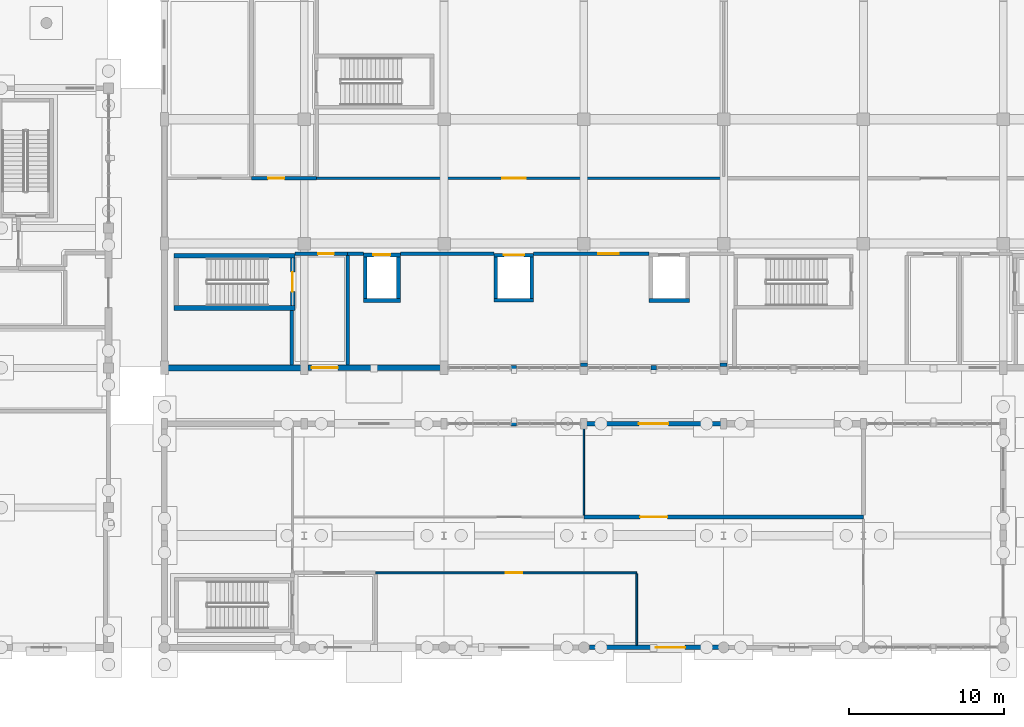
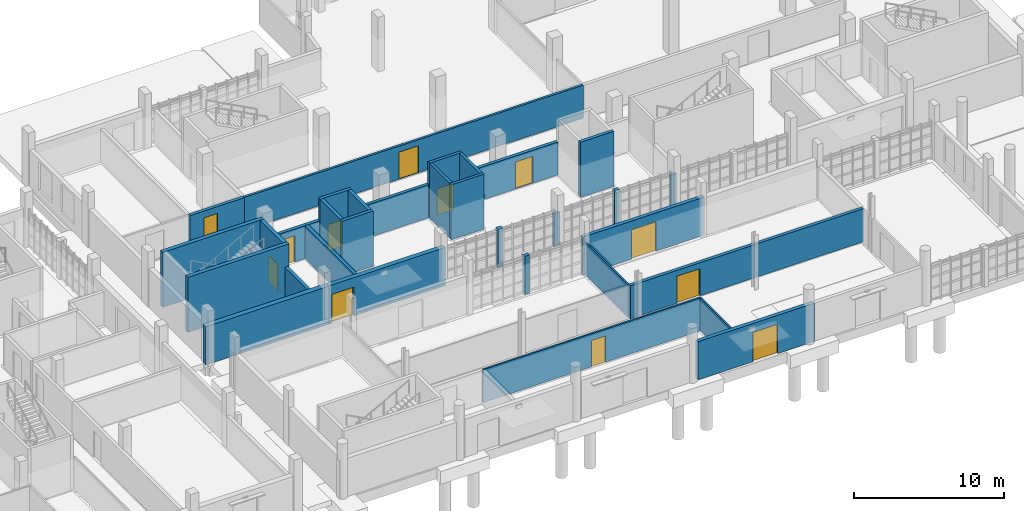
# One storey, part 43 of 63: 33 walls, 12 doors, 12 openings.
"""IFC4 building model written with IfcOpenShell, lengths in metres."""

from ifc_helpers import new_model, si_unit, direction, frame, frame_2d, origin, place, context, subcontext, project, spatial, rectangle, extrude, material, layer, layer_set, type_object, element, fill, save


model = new_model("IFC4")

# Units and contexts
model_context = context("Model", 3, precision=1e-05, world=origin(), true_north=direction((0.0, 1.0)))
body_context = subcontext(model_context, "Body", "Model", "MODEL_VIEW")
ifc_project = project(units=[si_unit("LENGTHUNIT", "METRE"), si_unit("AREAUNIT", "SQUARE_METRE"), si_unit("VOLUMEUNIT", "CUBIC_METRE"), si_unit("PLANEANGLEUNIT", "RADIAN"), si_unit("MASSUNIT", "GRAM", prefix="KILO")], contexts=[model_context])

# Site, building, storey
site_placement = place(None, origin())
site = spatial("IfcSite", under=ifc_project, at=site_placement, CompositionType="ELEMENT")
building_placement = place(site_placement, origin())
building = spatial("IfcBuilding", under=site, at=building_placement, Name="Serraforn Aerial Cableway Station", CompositionType="ELEMENT")
storey_placement = place(building_placement, origin())
storey = spatial("IfcBuildingStorey", under=building, at=storey_placement, Name="L00", CompositionType="ELEMENT", Elevation=0.0)

# Wall
ifc_material_1 = material(Name="Concrete C35/45", Category="concrete")
ifc_layer_1 = layer(ifc_material_1, 0.219970703125)
ifc_layer_set_1 = layer_set([ifc_layer_1], Name="Concrete C35/45")
wall_type_1 = type_object("IfcWallType", Name="WL-COR-220", PredefinedType="SHEAR", material=ifc_layer_set_1)
wall_1_placement = place(storey_placement, frame((48.830078125, 22.340087890625, 0.0), z_axis=(0.0, 0.0, 1.0), x_axis=(1.0, 0.0, 0.0)))
element("IfcWall", 1, at=wall_1_placement, inside=storey, type_object=wall_type_1, Name="Lift Shaft Shear Wall WLFT-LF-03-L00-S", PredefinedType="SHEAR", context=body_context, shape_type="SweptSolid", body=[
    extrude(rectangle(XDim=2.5400390625, YDim=0.219970703125, at=frame_2d((1.27001953125, 0.0))), origin(), (0.0, 0.0, 1.0), 4.5),
])

# Wall, opening, door
wall_2_placement = place(storey_placement, frame((48.830078125, 25.260009765625, 0.0), z_axis=(0.0, 0.0, 1.0), x_axis=(1.0, 0.0, 0.0)))
wall_2 = element("IfcWall", 2, at=wall_2_placement, inside=storey, type_object=wall_type_1, Name="Lift Shaft Shear Wall WLFT-LF-03-L00-N", PredefinedType="SHEAR", context=body_context, shape_type="SweptSolid", body=[
    extrude(rectangle(XDim=2.5400390625, YDim=0.219970703125, at=frame_2d((1.27001953125, 0.0))), origin(), (0.0, 0.0, 1.0), 4.5),
])
opening_1_placement = place(wall_2_placement, frame((0.6201171875, 0.0, 0.0)))
opening_1 = element("IfcOpeningElement", 3, at=opening_1_placement, cuts=wall_2, Name="Opening LD-11", PredefinedType="OPENING", context=body_context, shape_type="SweptSolid", body=[
    extrude(rectangle(XDim=1.300048828125, YDim=2.14990234375, at=frame_2d((0.64990234375, 1.074951171875))), frame((0.0, 0.119873046875, 0.0), z_axis=(0.0, -1.0, 0.0), x_axis=(1.0, 0.0, 0.0)), (0.0, 0.0, 1.0), 0.239990234375),
])
ifc_material_2 = material(Name="Brushed stainless-steel sliding lift landing door", Category="steel")
door_type_1 = type_object("IfcDoorType", Name="DR-LIFT-130", OperationType="SLIDING_TO_RIGHT", PredefinedType="DOOR", material=ifc_material_2)
door_1_placement = place(opening_1_placement, origin())
door_1 = element("IfcDoor", 4, at=door_1_placement, inside=storey, type_object=door_type_1, Name="Sliding Lift Landing Door LD-11 (LF-03 L00)", OperationType="SLIDING_TO_RIGHT", OverallHeight=2.14990234375, OverallWidth=1.300048828125, PredefinedType="DOOR", context=body_context, shape_type="SweptSolid", body=[
    extrude(rectangle(XDim=1.300048828125, YDim=2.14990234375, at=frame_2d((0.64990234375, 1.074951171875))), frame((0.0, 0.02490234375, 0.0), z_axis=(0.0, -1.0, 0.0), x_axis=(1.0, 0.0, 0.0)), (0.0, 0.0, 1.0), 0.050048828125),
])
fill(opening_1, door_1)

# Walls
for number, where, z_axis, x_axis, name in (
    (5, (48.93994140625, 22.449951171875, 0.0), (0.0, 0.0, 1.0), (0.0, 1.0, 0.0), "Lift Shaft Shear Wall WLFT-LF-03-L00-W"),
    (6, (51.260009765625, 22.449951171875, 0.0), (0.0, 0.0, 1.0), (0.0, 1.0, 0.0), "Lift Shaft Shear Wall WLFT-LF-03-L00-E"),
):
    element("IfcWall", number, at=place(storey_placement, frame(where, z_axis=z_axis, x_axis=x_axis)), inside=storey, type_object=wall_type_1, Name=name, PredefinedType="SHEAR", context=body_context, shape_type="SweptSolid", body=[
        extrude(rectangle(XDim=2.699951171875, YDim=0.219970703125, at=frame_2d((1.35009765625, 0.0))), origin(), (0.0, 0.0, 1.0), 4.5),
    ])
ifc_layer_2 = layer(ifc_material_1, 0.25)
ifc_layer_set_2 = layer_set([ifc_layer_2], Name="Concrete C35/45")
wall_type_2 = type_object("IfcWallType", Name="WL-COR-250", PredefinedType="SHEAR", material=ifc_layer_set_2)
wall_3_placement = place(storey_placement, frame((40.39990234375, 22.324951171875, 0.0), z_axis=(0.0, 0.0, 1.0), x_axis=(1.0, 0.0, 0.0)))
element("IfcWall", 7, at=wall_3_placement, inside=storey, type_object=wall_type_2, Name="Lift Shaft Shear Wall WLFT-LF-02-L00-S", PredefinedType="SHEAR", context=body_context, shape_type="SweptSolid", body=[
    extrude(rectangle(XDim=2.400146484375, YDim=0.25, at=frame_2d((1.2001953125, 0.0))), origin(), (0.0, 0.0, 1.0), 4.5),
])

# Wall, opening, door
wall_4_placement = place(storey_placement, frame((40.39990234375, 25.27490234375, 0.0), z_axis=(0.0, 0.0, 1.0), x_axis=(1.0, 0.0, 0.0)))
wall_4 = element("IfcWall", 8, at=wall_4_placement, inside=storey, type_object=wall_type_2, Name="Lift Shaft Shear Wall WLFT-LF-02-L00-N", PredefinedType="SHEAR", context=body_context, shape_type="SweptSolid", body=[
    extrude(rectangle(XDim=2.400146484375, YDim=0.25, at=frame_2d((1.2001953125, 0.0))), origin(), (0.0, 0.0, 1.0), 4.5),
])
opening_2_placement = place(wall_4_placement, frame((0.64990234375, 0.0, 0.0)))
opening_2 = element("IfcOpeningElement", 9, at=opening_2_placement, cuts=wall_4, Name="Opening LD-06", PredefinedType="OPENING", context=body_context, shape_type="SweptSolid", body=[
    extrude(rectangle(XDim=1.10009765625, YDim=2.14990234375, at=frame_2d((0.550048828125, 1.074951171875))), frame((0.0, 0.135009765625, 0.0), z_axis=(0.0, -1.0, 0.0), x_axis=(1.0, 0.0, 0.0)), (0.0, 0.0, 1.0), 0.27001953125),
])
door_type_2 = type_object("IfcDoorType", Name="DR-LIFT-110", OperationType="SLIDING_TO_LEFT", PredefinedType="DOOR", material=ifc_material_2)
door_2_placement = place(opening_2_placement, origin())
door_2 = element("IfcDoor", 10, at=door_2_placement, inside=storey, type_object=door_type_2, Name="Sliding Lift Landing Door LD-06 (LF-02 L00)", OperationType="SLIDING_TO_LEFT", OverallHeight=2.14990234375, OverallWidth=1.10009765625, PredefinedType="DOOR", context=body_context, shape_type="SweptSolid", body=[
    extrude(rectangle(XDim=1.10009765625, YDim=2.14990234375, at=frame_2d((0.550048828125, 1.074951171875))), frame((0.0, 0.02490234375, 0.0), z_axis=(0.0, -1.0, 0.0), x_axis=(1.0, 0.0, 0.0)), (0.0, 0.0, 1.0), 0.050048828125),
])
fill(opening_2, door_2)

# Walls
for number, where, z_axis, x_axis, name in (
    (11, (40.52490234375, 22.449951171875, 0.0), (0.0, 0.0, 1.0), (0.0, 1.0, 0.0), "Lift Shaft Shear Wall WLFT-LF-02-L00-W"),
    (12, (42.675048828125, 22.449951171875, 0.0), (0.0, 0.0, 1.0), (0.0, 1.0, 0.0), "Lift Shaft Shear Wall WLFT-LF-02-L00-E"),
):
    element("IfcWall", number, at=place(storey_placement, frame(where, z_axis=z_axis, x_axis=x_axis)), inside=storey, type_object=wall_type_2, Name=name, PredefinedType="SHEAR", context=body_context, shape_type="SweptSolid", body=[
        extrude(rectangle(XDim=2.699951171875, YDim=0.25, at=frame_2d((1.35009765625, 0.0))), origin(), (0.0, 0.0, 1.0), 4.5),
    ])
wall_5_placement = place(storey_placement, frame((58.800048828125, 22.324951171875, 0.0), z_axis=(0.0, 0.0, 1.0), x_axis=(1.0, 0.0, 0.0)))
element("IfcWall", 13, at=wall_5_placement, inside=storey, type_object=wall_type_2, Name="Lift Shaft Shear Wall WLFT-LF-04-L00-S", PredefinedType="SHEAR", context=body_context, shape_type="SweptSolid", body=[
    extrude(rectangle(XDim=2.599853515625, YDim=0.25, at=frame_2d((1.2998046875, 0.0))), origin(), (0.0, 0.0, 1.0), 4.5),
])

# Wall, opening, door
ifc_layer_3 = layer(ifc_material_1, 0.300048828125)
ifc_layer_set_3 = layer_set([ifc_layer_3], Name="Concrete C35/45")
wall_type_3 = type_object("IfcWallType", Name="WL-COR-300", PredefinedType="SHEAR", material=ifc_layer_set_3)
wall_6_placement = place(storey_placement, frame((35.85009765625, 25.06005859375, 0.0), z_axis=(0.0, 0.0, 1.0), x_axis=(0.0, -1.0, 0.0)))
wall_6 = element("IfcWall", 14, at=wall_6_placement, inside=storey, type_object=wall_type_3, Name="Stair Core Shear Wall WCOR-ST-03-L00-NEAR", PredefinedType="SHEAR", context=body_context, shape_type="SweptSolid", body=[
    extrude(rectangle(XDim=3.06005859375, YDim=0.300048828125, at=frame_2d((1.530029296875, 0.0))), origin(), (0.0, 0.0, 1.0), 4.5),
])
opening_3_placement = place(wall_6_placement, frame((0.905029296875, 0.0, 0.0)))
opening_3 = element("IfcOpeningElement", 15, at=opening_3_placement, cuts=wall_6, Name="Opening D-S13", PredefinedType="OPENING", context=body_context, shape_type="SweptSolid", body=[
    extrude(rectangle(XDim=1.25, YDim=2.14990234375, at=frame_2d((0.625, 1.074951171875))), frame((0.0, 0.159912109375, 0.0), z_axis=(0.0, -1.0, 0.0), x_axis=(1.0, 0.0, 0.0)), (0.0, 0.0, 1.0), 0.320068359375),
])
ifc_material_3 = material(Name="Self-closing steel stair fire door", Category="steel")
door_type_3 = type_object("IfcDoorType", Name="DR-STAIR-125", OperationType="NOTDEFINED", PredefinedType="DOOR", material=ifc_material_3)
door_3_placement = place(opening_3_placement, origin())
door_3 = element("IfcDoor", 16, at=door_3_placement, inside=storey, type_object=door_type_3, Name="Protected Stair Door D-S13", OperationType="SINGLE_SWING_LEFT", OverallHeight=2.14990234375, OverallWidth=1.25, PredefinedType="DOOR", context=body_context, shape_type="SweptSolid", body=[
    extrude(rectangle(XDim=1.25, YDim=2.14990234375, at=frame_2d((0.625, 1.074951171875))), frame((0.0, 0.02490234375, 0.0), z_axis=(0.0, -1.0, 0.0), x_axis=(1.0, 0.0, 0.0)), (0.0, 0.0, 1.0), 0.050048828125),
])
fill(opening_3, door_3)

# Walls
for number, where, z_axis, x_axis, name in (
    (17, (36.0, 25.2099609375, 0.0), (0.0, 0.0, 1.0), (-1.0, 0.0, 0.0), "Stair Core Shear Wall WCOR-ST-03-L00-L"),
    (18, (36.0, 21.85009765625, 0.0), (0.0, 0.0, 1.0), (-1.0, 0.0, 0.0), "Stair Core Shear Wall WCOR-ST-03-L00-R"),
):
    element("IfcWall", number, at=place(storey_placement, frame(where, z_axis=z_axis, x_axis=x_axis)), inside=storey, type_object=wall_type_3, Name=name, PredefinedType="SHEAR", context=body_context, shape_type="SweptSolid", body=[
        extrude(rectangle(XDim=7.800048828125, YDim=0.300048828125, at=frame_2d((3.89990234375, 0.0))), origin(), (0.0, 0.0, 1.0), 4.5),
    ])

# Wall, opening, door
ifc_material_4 = material(Name="Insulated stuccoed terracotta facade", Category="masonry")
ifc_layer_4 = layer(ifc_material_4, 0.27490234375)
ifc_layer_set_4 = layer_set([ifc_layer_4], Name="Insulated stuccoed terracotta facade")
wall_type_4 = type_object("IfcWallType", Name="WL-EXT-275", PredefinedType="SOLIDWALL", material=ifc_layer_set_4)
wall_7_placement = place(storey_placement, frame((63.800048828125, 14.39990234375, 0.0), z_axis=(0.0, 0.0, 1.0), x_axis=(-1.0, 0.0, 0.0)))
wall_7 = element("IfcWall", 19, at=wall_7_placement, inside=storey, type_object=wall_type_4, Name="Exterior Wall WEXT-CF-L00-N4", PredefinedType="SOLIDWALL", context=body_context, shape_type="SweptSolid", body=[
    extrude(rectangle(XDim=9.400146484375, YDim=0.27490234375, at=frame_2d((4.7001953125, 0.0))), origin(), (0.0, 0.0, 1.0), 3.1201171875),
])
opening_4_placement = place(wall_7_placement, frame((3.75, 0.0, 0.0)))
opening_4 = element("IfcOpeningElement", 20, at=opening_4_placement, cuts=wall_7, Name="Opening DE-01", PredefinedType="OPENING", context=body_context, shape_type="SweptSolid", body=[
    extrude(rectangle(XDim=1.89990234375, YDim=2.39990234375, at=frame_2d((0.949951171875, 1.199951171875))), frame((0.0, 0.1474609375, 0.0), z_axis=(0.0, -1.0, 0.0), x_axis=(1.0, 0.0, 0.0)), (0.0, 0.0, 1.0), 0.294921875),
])
ifc_material_5 = material(Name="Anodised bronze thermally broken aluminium and laminated glass", Category="aluminium")
door_type_4 = type_object("IfcDoorType", Name="DR-EXT-190", OperationType="DOUBLE_SWING_LEFT", PredefinedType="DOOR", material=ifc_material_5)
door_4_placement = place(opening_4_placement, origin())
door_4 = element("IfcDoor", 21, at=door_4_placement, inside=storey, type_object=door_type_4, Name="Exterior Door DE-CF-L00-N4", OperationType="DOUBLE_SWING_LEFT", OverallHeight=2.39990234375, OverallWidth=1.89990234375, PredefinedType="DOOR", context=body_context, shape_type="SweptSolid", body=[
    extrude(rectangle(XDim=1.89990234375, YDim=2.39990234375, at=frame_2d((0.949951171875, 1.199951171875))), frame((0.0, 0.02490234375, 0.0), z_axis=(0.0, -1.0, 0.0), x_axis=(1.0, 0.0, 0.0)), (0.0, 0.0, 1.0), 0.050048828125),
])
fill(opening_4, door_4)

ifc_material_6 = material(Name="Insulated fluted limestone rainscreen", Category="masonry")
ifc_layer_5 = layer(ifc_material_6, 0.2900390625)
ifc_layer_set_5 = layer_set([ifc_layer_5], Name="Insulated fluted limestone rainscreen")
wall_type_5 = type_object("IfcWallType", Name="WL-EXT-290", PredefinedType="SOLIDWALL", material=ifc_layer_set_5)
wall_8_placement = place(storey_placement, frame((54.950927734375, 0.0, 0.0), z_axis=(0.0, 0.0, 1.0), x_axis=(1.0, 0.0, 0.0)))
wall_8 = element("IfcWall", 22, at=wall_8_placement, inside=storey, type_object=wall_type_5, Name="Exterior Wall WEXT-CF-L00-S4", PredefinedType="SOLIDWALL", context=body_context, shape_type="SweptSolid", body=[
    extrude(rectangle(XDim=8.9990234375, YDim=0.2900390625, at=frame_2d((4.49951171875, 0.0))), origin(), (0.0, 0.0, 1.0), 3.1201171875),
])
opening_5_placement = place(wall_8_placement, frame((4.26611328125, 0.0, 0.0)))
opening_5 = element("IfcOpeningElement", 23, at=opening_5_placement, cuts=wall_8, Name="Opening DE-01", PredefinedType="OPENING", context=body_context, shape_type="SweptSolid", body=[
    extrude(rectangle(XDim=1.89990234375, YDim=2.39990234375, at=frame_2d((0.949951171875, 1.199951171875))), frame((0.0, 0.155029296875, 0.0), z_axis=(0.0, -1.0, 0.0), x_axis=(1.0, 0.0, 0.0)), (0.0, 0.0, 1.0), 0.31005859375),
])
door_5_placement = place(opening_5_placement, origin())
door_5 = element("IfcDoor", 24, at=door_5_placement, inside=storey, type_object=door_type_4, Name="Exterior Door DE-CF-L00-S4", OperationType="DOUBLE_SWING_LEFT", OverallHeight=2.39990234375, OverallWidth=1.89990234375, PredefinedType="DOOR", context=body_context, shape_type="SweptSolid", body=[
    extrude(rectangle(XDim=1.89990234375, YDim=2.39990234375, at=frame_2d((0.949951171875, 1.199951171875))), frame((0.0, 0.02490234375, 0.0), z_axis=(0.0, -1.0, 0.0), x_axis=(1.0, 0.0, 0.0)), (0.0, 0.0, 1.0), 0.050048828125),
])
fill(opening_5, door_5)

# Walls
wall_9_placement = place(storey_placement, frame((58.919921875, 18.0, 0.0), z_axis=(0.0, 0.0, 1.0), x_axis=(1.0, 0.0, 0.0)))
element("IfcWall", 25, at=wall_9_placement, inside=storey, type_object=wall_type_5, Name="Exterior Wall WPIER-CV-L00-S4", PredefinedType="SOLIDWALL", context=body_context, shape_type="SweptSolid", body=[
    extrude(rectangle(XDim=0.360107421875, YDim=0.2900390625, at=frame_2d((0.18017578125, 0.0))), origin(), (0.0, 0.0, 1.0), 3.1201171875),
])
ifc_layer_6 = layer(ifc_material_6, 0.304931640625)
ifc_layer_set_6 = layer_set([ifc_layer_6], Name="Insulated fluted limestone rainscreen")
wall_type_6 = type_object("IfcWallType", Name="WL-EXT-305", PredefinedType="SOLIDWALL", material=ifc_layer_set_6)
wall_10_placement = place(storey_placement, frame((50.280029296875, 14.39990234375, 0.0), z_axis=(0.0, 0.0, 1.0), x_axis=(-1.0, 0.0, 0.0)))
element("IfcWall", 26, at=wall_10_placement, inside=storey, type_object=wall_type_6, Name="Exterior Wall WPIER-CF-L00-N3", PredefinedType="SOLIDWALL", context=body_context, shape_type="SweptSolid", body=[
    extrude(rectangle(XDim=0.360107421875, YDim=0.304931640625, at=frame_2d((0.18017578125, 0.0))), origin(), (0.0, 0.0, 1.0), 3.1201171875),
])
ifc_layer_7 = layer(ifc_material_6, 0.320068359375)
ifc_layer_set_7 = layer_set([ifc_layer_7], Name="Insulated fluted limestone rainscreen")
wall_type_7 = type_object("IfcWallType", Name="WL-EXT-320", PredefinedType="SOLIDWALL", material=ifc_layer_set_7)
wall_11_placement = place(storey_placement, frame((49.919921875, 18.0, 0.0), z_axis=(0.0, 0.0, 1.0), x_axis=(1.0, 0.0, 0.0)))
element("IfcWall", 27, at=wall_11_placement, inside=storey, type_object=wall_type_7, Name="Exterior Wall WPIER-CV-L00-S3", PredefinedType="SOLIDWALL", context=body_context, shape_type="SweptSolid", body=[
    extrude(rectangle(XDim=0.360107421875, YDim=0.320068359375, at=frame_2d((0.18017578125, 0.0))), origin(), (0.0, 0.0, 1.0), 3.1201171875),
])

# Wall, opening, door
ifc_material_7 = material(Name="Montjuic sandstone ashlar masonry", Category="masonry")
ifc_layer_8 = layer(ifc_material_7, 0.35009765625)
ifc_layer_set_8 = layer_set([ifc_layer_8], Name="Montjuic sandstone ashlar masonry")
wall_type_8 = type_object("IfcWallType", Name="WL-EXT-350", PredefinedType="SOLIDWALL", material=ifc_layer_set_8)
wall_12_placement = place(storey_placement, frame((36.85107421875, 18.0, 0.0), z_axis=(0.0, 0.0, 1.0), x_axis=(1.0, 0.0, 0.0)))
wall_12 = element("IfcWall", 28, at=wall_12_placement, inside=storey, type_object=wall_type_8, Name="Exterior Wall WEXT-CV-L00-S2", PredefinedType="SOLIDWALL", context=body_context, shape_type="SweptSolid", body=[
    extrude(rectangle(XDim=8.9990234375, YDim=0.35009765625, at=frame_2d((4.49951171875, 0.0))), origin(), (0.0, 0.0, 1.0), 3.1201171875),
])
opening_6_placement = place(wall_12_placement, frame((0.216552734375, 0.0, 0.0)))
opening_6 = element("IfcOpeningElement", 29, at=opening_6_placement, cuts=wall_12, Name="Opening DE-03", PredefinedType="OPENING", context=body_context, shape_type="SweptSolid", body=[
    extrude(rectangle(XDim=1.699951171875, YDim=2.35009765625, at=frame_2d((0.85009765625, 1.175048828125))), frame((0.0, 0.18505859375, 0.0), z_axis=(0.0, -1.0, 0.0), x_axis=(1.0, 0.0, 0.0)), (0.0, 0.0, 1.0), 0.3701171875),
])
door_type_5 = type_object("IfcDoorType", Name="DR-EXT-170", OperationType="DOUBLE_SWING_LEFT", PredefinedType="DOOR", material=ifc_material_5)
door_6_placement = place(opening_6_placement, origin())
door_6 = element("IfcDoor", 30, at=door_6_placement, inside=storey, type_object=door_type_5, Name="Exterior Door DE-CV-L00-S2", OperationType="DOUBLE_SWING_LEFT", OverallHeight=2.35009765625, OverallWidth=1.699951171875, PredefinedType="DOOR", context=body_context, shape_type="SweptSolid", body=[
    extrude(rectangle(XDim=1.699951171875, YDim=2.35009765625, at=frame_2d((0.85009765625, 1.175048828125))), frame((0.0, 0.02490234375, 0.0), z_axis=(0.0, -1.0, 0.0), x_axis=(1.0, 0.0, 0.0)), (0.0, 0.0, 1.0), 0.050048828125),
])
fill(opening_6, door_6)

# Wall
ifc_layer_9 = layer(ifc_material_7, 0.3798828125)
ifc_layer_set_9 = layer_set([ifc_layer_9], Name="Montjuic sandstone ashlar masonry")
wall_type_9 = type_object("IfcWallType", Name="WL-EXT-380", PredefinedType="SOLIDWALL", material=ifc_layer_set_9)
wall_13_placement = place(storey_placement, frame((27.35009765625, 18.0, 0.0), z_axis=(0.0, 0.0, 1.0), x_axis=(1.0, 0.0, 0.0)))
element("IfcWall", 31, at=wall_13_placement, inside=storey, type_object=wall_type_9, Name="Exterior Wall WEXT-CV-L00-S1", PredefinedType="SOLIDWALL", context=body_context, shape_type="SweptSolid", body=[
    extrude(rectangle(XDim=9.5, YDim=0.3798828125, at=frame_2d((4.75, 0.0))), origin(), (0.0, 0.0, 1.0), 3.1201171875),
])

# Wall, opening, door
ifc_material_8 = material(Name="Concrete C30/37", Category="concrete")
ifc_layer_10 = layer(ifc_material_8, 0.241943359375)
ifc_layer_set_10 = layer_set([ifc_layer_10], Name="Concrete C30/37")
wall_type_10 = type_object("IfcWallType", Name="WL-FIR-242", PredefinedType="SOLIDWALL", material=ifc_layer_set_10)
wall_14_placement = place(storey_placement, frame((72.60009765625, 8.39990234375, 0.0), z_axis=(0.0, 0.0, 1.0), x_axis=(-1.0, 0.0, 0.0)))
wall_14 = element("IfcWall", 32, at=wall_14_placement, inside=storey, type_object=wall_type_10, Name="Interior Partition WPRT-L00-10-58", PredefinedType="SOLIDWALL", context=body_context, shape_type="SweptSolid", body=[
    extrude(rectangle(XDim=18.0, YDim=0.241943359375, at=frame_2d((9.0, 0.0))), origin(), (0.0, 0.0, 1.0), 2.699951171875),
])
opening_7_placement = place(wall_14_placement, frame((12.6201171875, 0.0, 0.0)))
opening_7 = element("IfcOpeningElement", 33, at=opening_7_placement, cuts=wall_14, Name="Opening DI-018", PredefinedType="OPENING", context=body_context, shape_type="SweptSolid", body=[
    extrude(rectangle(XDim=1.760009765625, YDim=2.219970703125, at=frame_2d((0.8798828125, 1.10986328125))), frame((0.0, 0.130859375, 0.0), z_axis=(0.0, -1.0, 0.0), x_axis=(1.0, 0.0, 0.0)), (0.0, 0.0, 1.0), 0.261962890625),
])
ifc_material_9 = material(Name="Double-leaf machinery vault door")
door_type_6 = type_object("IfcDoorType", Name="DR-INT-176", OperationType="NOTDEFINED", PredefinedType="DOOR", material=ifc_material_9)
door_7_placement = place(opening_7_placement, origin())
door_7 = element("IfcDoor", 34, at=door_7_placement, inside=storey, type_object=door_type_6, Name="Room Door DI-018 (L00-10)", OperationType="SINGLE_SWING_LEFT", OverallHeight=2.219970703125, OverallWidth=1.760009765625, PredefinedType="DOOR", context=body_context, shape_type="SweptSolid", body=[
    extrude(rectangle(XDim=1.760009765625, YDim=2.219970703125, at=frame_2d((0.8798828125, 1.10986328125))), frame((0.0, 0.02490234375, 0.0), z_axis=(0.0, -1.0, 0.0), x_axis=(1.0, 0.0, 0.0)), (0.0, 0.0, 1.0), 0.050048828125),
])
fill(opening_7, door_7)

wall_15_placement = place(storey_placement, frame((36.02001953125, 25.35009765625, 0.0), z_axis=(0.0, 0.0, 1.0), x_axis=(1.0, 0.0, 0.0)))
wall_15 = element("IfcWall", 35, at=wall_15_placement, inside=storey, type_object=wall_type_10, Name="Interior Partition WPRT-L00-23-60", PredefinedType="SOLIDWALL", context=body_context, shape_type="SweptSolid", body=[
    extrude(rectangle(XDim=3.3798828125, YDim=0.241943359375, at=frame_2d((1.68994140625, 0.0))), origin(), (0.0, 0.0, 1.0), 2.699951171875),
])
opening_8_placement = place(wall_15_placement, frame((1.47998046875, 0.0, 0.0)))
opening_8 = element("IfcOpeningElement", 36, at=opening_8_placement, cuts=wall_15, Name="Opening DI-020", PredefinedType="OPENING", context=body_context, shape_type="SweptSolid", body=[
    extrude(rectangle(XDim=1.0, YDim=2.14990234375, at=frame_2d((0.5, 1.074951171875))), frame((0.0, 0.130859375, 0.0), z_axis=(0.0, -1.0, 0.0), x_axis=(1.0, 0.0, 0.0)), (0.0, 0.0, 1.0), 0.261962890625),
])
ifc_material_10 = material(Name="Fire-rated oak veneer leaf")
door_type_7 = type_object("IfcDoorType", Name="DR-INT-100", OperationType="NOTDEFINED", PredefinedType="DOOR", material=ifc_material_10)
door_8_placement = place(opening_8_placement, origin())
door_8 = element("IfcDoor", 37, at=door_8_placement, inside=storey, type_object=door_type_7, Name="Room Door DI-020 (L00-23)", OperationType="SINGLE_SWING_LEFT", OverallHeight=2.14990234375, OverallWidth=1.0, PredefinedType="DOOR", context=body_context, shape_type="SweptSolid", body=[
    extrude(rectangle(XDim=1.0, YDim=2.14990234375, at=frame_2d((0.5, 1.074951171875))), frame((0.0, 0.02490234375, 0.0), z_axis=(0.0, -1.0, 0.0), x_axis=(1.0, 0.0, 0.0)), (0.0, 0.0, 1.0), 0.050048828125),
])
fill(opening_8, door_8)

# Walls
wall_16_placement = place(storey_placement, frame((39.39990234375, 25.22802734375, 0.0), z_axis=(0.0, 0.0, 1.0), x_axis=(0.0, -1.0, 0.0)))
element("IfcWall", 38, at=wall_16_placement, inside=storey, type_object=wall_type_10, Name="Interior Partition WPRT-L00-23-61", PredefinedType="SOLIDWALL", context=body_context, shape_type="SweptSolid", body=[
    extrude(rectangle(XDim=7.052001953125, YDim=0.241943359375, at=frame_2d((3.52587890625, 0.0))), origin(), (0.0, 0.0, 1.0), 2.699951171875),
])
wall_17_placement = place(storey_placement, frame((35.800048828125, 18.19091796875, 0.0), z_axis=(0.0, 0.0, 1.0), x_axis=(0.0, 1.0, 0.0)))
element("IfcWall", 39, at=wall_17_placement, inside=storey, type_object=wall_type_10, Name="Interior Partition WPRT-L00-23-62", PredefinedType="SOLIDWALL", context=body_context, shape_type="SweptSolid", body=[
    extrude(rectangle(XDim=3.508056640625, YDim=0.241943359375, at=frame_2d((1.75390625, 0.0))), origin(), (0.0, 0.0, 1.0), 2.699951171875),
])

# Wall, opening, door
wall_18_placement = place(storey_placement, frame((37.39990234375, 30.199951171875, 0.0), z_axis=(0.0, 0.0, 1.0), x_axis=(-1.0, 0.0, 0.0)))
wall_18 = element("IfcWall", 40, at=wall_18_placement, inside=storey, type_object=wall_type_10, Name="Interior Partition WPRT-L00-24-63", PredefinedType="SOLIDWALL", context=body_context, shape_type="SweptSolid", body=[
    extrude(rectangle(XDim=4.199951171875, YDim=0.241943359375, at=frame_2d((2.10009765625, 0.0))), origin(), (0.0, 0.0, 1.0), 2.699951171875),
])
opening_9_placement = place(wall_18_placement, frame((2.074951171875, 0.0, 0.0)))
opening_9 = element("IfcOpeningElement", 41, at=opening_9_placement, cuts=wall_18, Name="Opening DI-021", PredefinedType="OPENING", context=body_context, shape_type="SweptSolid", body=[
    extrude(rectangle(XDim=1.050048828125, YDim=2.14990234375, at=frame_2d((0.52490234375, 1.074951171875))), frame((0.0, 0.130859375, 0.0), z_axis=(0.0, -1.0, 0.0), x_axis=(1.0, 0.0, 0.0)), (0.0, 0.0, 1.0), 0.261962890625),
])
door_type_8 = type_object("IfcDoorType", Name="DR-INT-105", OperationType="NOTDEFINED", PredefinedType="DOOR", material=ifc_material_10)
door_9_placement = place(opening_9_placement, origin())
door_9 = element("IfcDoor", 42, at=door_9_placement, inside=storey, type_object=door_type_8, Name="Room Door DI-021 (L00-24)", OperationType="SINGLE_SWING_RIGHT", OverallHeight=2.14990234375, OverallWidth=1.050048828125, PredefinedType="DOOR", context=body_context, shape_type="SweptSolid", body=[
    extrude(rectangle(XDim=1.050048828125, YDim=2.14990234375, at=frame_2d((0.52490234375, 1.074951171875))), frame((0.0, 0.02490234375, 0.0), z_axis=(0.0, -1.0, 0.0), x_axis=(1.0, 0.0, 0.0)), (0.0, 0.0, 1.0), 0.050048828125),
])
fill(opening_9, door_9)

# Wall
wall_19_placement = place(storey_placement, frame((39.39990234375, 25.35009765625, 0.0), z_axis=(0.0, 0.0, 1.0), x_axis=(1.0, 0.0, 0.0)))
element("IfcWall", 43, at=wall_19_placement, inside=storey, type_object=wall_type_10, Name="Interior Partition WPRT-L00-14-72", PredefinedType="SOLIDWALL", context=body_context, shape_type="SweptSolid", body=[
    extrude(rectangle(XDim=0.9990234375, YDim=0.241943359375, at=frame_2d((0.49951171875, 0.0))), origin(), (0.0, 0.0, 1.0), 2.699951171875),
])

# Wall, opening, door
wall_20_placement = place(storey_placement, frame((51.37109375, 25.35009765625, 0.0), z_axis=(0.0, 0.0, 1.0), x_axis=(1.0, 0.0, 0.0)))
wall_20 = element("IfcWall", 44, at=wall_20_placement, inside=storey, type_object=wall_type_10, Name="Interior Partition WPRT-L00-14-74", PredefinedType="SOLIDWALL", context=body_context, shape_type="SweptSolid", body=[
    extrude(rectangle(XDim=7.427978515625, YDim=0.241943359375, at=frame_2d((3.7138671875, 0.0))), origin(), (0.0, 0.0, 1.0), 2.699951171875),
])
opening_10_placement = place(wall_20_placement, frame((4.1689453125, 0.0, 0.0)))
opening_10 = element("IfcOpeningElement", 45, at=opening_10_placement, cuts=wall_20, Name="Opening DI-024", PredefinedType="OPENING", context=body_context, shape_type="SweptSolid", body=[
    extrude(rectangle(XDim=1.320068359375, YDim=2.199951171875, at=frame_2d((0.66015625, 1.10009765625))), frame((0.0, 0.130859375, 0.0), z_axis=(0.0, -1.0, 0.0), x_axis=(1.0, 0.0, 0.0)), (0.0, 0.0, 1.0), 0.261962890625),
])
ifc_material_11 = material(Name="Double-leaf fire-rated hall door")
door_type_9 = type_object("IfcDoorType", Name="DR-INT-132", OperationType="NOTDEFINED", PredefinedType="DOOR", material=ifc_material_11)
door_10_placement = place(opening_10_placement, origin())
door_10 = element("IfcDoor", 46, at=door_10_placement, inside=storey, type_object=door_type_9, Name="Room Door DI-024 (L00-14)", OperationType="SINGLE_SWING_LEFT", OverallHeight=2.199951171875, OverallWidth=1.320068359375, PredefinedType="DOOR", context=body_context, shape_type="SweptSolid", body=[
    extrude(rectangle(XDim=1.320068359375, YDim=2.199951171875, at=frame_2d((0.66015625, 1.10009765625))), frame((0.0, 0.02490234375, 0.0), z_axis=(0.0, -1.0, 0.0), x_axis=(1.0, 0.0, 0.0)), (0.0, 0.0, 1.0), 0.050048828125),
])
fill(opening_10, door_10)

# Wall
wall_21_placement = place(storey_placement, frame((54.827880859375, 18.199951171875, 0.0), z_axis=(0.0, 0.0, 1.0), x_axis=(-1.0, 0.0, 0.0)))
element("IfcWall", 47, at=wall_21_placement, inside=storey, type_object=wall_type_10, Name="Interior Partition WPRT-L00-14-78", PredefinedType="SOLIDWALL", context=body_context, shape_type="SweptSolid", body=[
    extrude(rectangle(XDim=0.455810546875, YDim=0.241943359375, at=frame_2d((0.22802734375, 0.0))), origin(), (0.0, 0.0, 1.0), 2.699951171875),
])

# Wall, opening, door
ifc_material_12 = material(Name="Operable acoustic auditorium partition")
ifc_layer_11 = layer(ifc_material_12, 0.1259765625)
ifc_layer_set_11 = layer_set([ifc_layer_11], Name="Operable acoustic auditorium partition")
wall_type_11 = type_object("IfcWallType", Name="WL-MOV-126", PredefinedType="MOVABLE", material=ifc_layer_set_11)
wall_22_placement = place(storey_placement, frame((41.199951171875, 4.800048828125, 0.0), z_axis=(0.0, 0.0, 1.0), x_axis=(1.0, 0.0, 0.0)))
wall_22 = element("IfcWall", 48, at=wall_22_placement, inside=storey, type_object=wall_type_11, Name="Interior Partition WPRT-L00-06-52", PredefinedType="MOVABLE", context=body_context, shape_type="SweptSolid", body=[
    extrude(rectangle(XDim=16.800048828125, YDim=0.1259765625, at=frame_2d((8.39990234375, 0.0))), origin(), (0.0, 0.0, 1.0), 2.699951171875),
])
opening_11_placement = place(wall_22_placement, frame((8.360107421875, 0.0, 0.0)))
opening_11 = element("IfcOpeningElement", 49, at=opening_11_placement, cuts=wall_22, Name="Opening DI-015", PredefinedType="OPENING", context=body_context, shape_type="SweptSolid", body=[
    extrude(rectangle(XDim=1.080078125, YDim=2.14990234375, at=frame_2d((0.5400390625, 1.074951171875))), frame((0.0, 0.072998046875, 0.0), z_axis=(0.0, -1.0, 0.0), x_axis=(1.0, 0.0, 0.0)), (0.0, 0.0, 1.0), 0.14599609375),
])
ifc_material_13 = material(Name="Timber acoustic veneer leaf", Category="wood")
door_type_10 = type_object("IfcDoorType", Name="DR-INT-108U", OperationType="NOTDEFINED", PredefinedType="DOOR", material=ifc_material_13)
door_11_placement = place(opening_11_placement, origin())
door_11 = element("IfcDoor", 50, at=door_11_placement, inside=storey, type_object=door_type_10, Name="Room Door DI-015 (L00-06)", OperationType="SINGLE_SWING_RIGHT", OverallHeight=2.14990234375, OverallWidth=1.080078125, PredefinedType="DOOR", context=body_context, shape_type="SweptSolid", body=[
    extrude(rectangle(XDim=1.080078125, YDim=2.14990234375, at=frame_2d((0.5400390625, 1.074951171875))), frame((0.0, 0.02490234375, 0.0), z_axis=(0.0, -1.0, 0.0), x_axis=(1.0, 0.0, 0.0)), (0.0, 0.0, 1.0), 0.050048828125),
])
fill(opening_11, door_11)

# Walls
ifc_material_14 = material(Name="Glazed acoustic timber-framed partition", Category="wood")
ifc_layer_12 = layer(ifc_material_14, 0.10205078125)
ifc_layer_set_12 = layer_set([ifc_layer_12], Name="Glazed acoustic timber-framed partition")
wall_type_12 = type_object("IfcWallType", Name="WL-PRT-102", PredefinedType="PARTITIONING", material=ifc_layer_set_12)
wall_23_placement = place(storey_placement, frame((54.60009765625, 14.261474609375, 0.0), z_axis=(0.0, 0.0, 1.0), x_axis=(0.0, -1.0, 0.0)))
element("IfcWall", 51, at=wall_23_placement, inside=storey, type_object=wall_type_12, Name="Interior Partition WPRT-L00-09-55", PredefinedType="PARTITIONING", context=body_context, shape_type="SweptSolid", body=[
    extrude(rectangle(XDim=5.739501953125, YDim=0.10205078125, at=frame_2d((2.86962890625, 0.0))), origin(), (0.0, 0.0, 1.0), 2.699951171875),
])
ifc_material_15 = material(Name="Metal-stud gypsum partition")
ifc_layer_13 = layer(ifc_material_15, 0.110107421875)
ifc_layer_set_13 = layer_set([ifc_layer_13], Name="Metal-stud gypsum partition")
wall_type_13 = type_object("IfcWallType", Name="WL-PRT-110", PredefinedType="PARTITIONING", material=ifc_layer_set_13)
wall_24_placement = place(storey_placement, frame((58.0, 4.736083984375, 0.0), z_axis=(0.0, 0.0, 1.0), x_axis=(0.0, -1.0, 0.0)))
element("IfcWall", 52, at=wall_24_placement, inside=storey, type_object=wall_type_13, Name="Interior Partition WPRT-L00-06-53", PredefinedType="PARTITIONING", context=body_context, shape_type="SweptSolid", body=[
    extrude(rectangle(XDim=4.590087890625, YDim=0.110107421875, at=frame_2d((2.294921875, 0.0))), origin(), (0.0, 0.0, 1.0), 2.699951171875),
])

# Wall, opening, door
ifc_material_16 = material(Name="Acoustic twin-stud gypsum partition")
ifc_layer_14 = layer(ifc_material_16, 0.169921875)
ifc_layer_set_14 = layer_set([ifc_layer_14], Name="Acoustic twin-stud gypsum partition")
wall_type_14 = type_object("IfcWallType", Name="WL-PRT-170", PredefinedType="PARTITIONING", material=ifc_layer_set_14)
wall_25_placement = place(storey_placement, frame((63.60009765625, 30.199951171875, 0.0), z_axis=(0.0, 0.0, 1.0), x_axis=(-1.0, 0.0, 0.0)))
wall_25 = element("IfcWall", 53, at=wall_25_placement, inside=storey, type_object=wall_type_14, Name="Interior Partition WPRT-L00-12-85", PredefinedType="PARTITIONING", context=body_context, shape_type="SweptSolid", body=[
    extrude(rectangle(XDim=26.2001953125, YDim=0.169921875, at=frame_2d((13.10009765625, 0.0))), origin(), (0.0, 0.0, 1.0), 2.699951171875),
])
opening_12_placement = place(wall_25_placement, frame((12.739990234375, 0.0, 0.0)))
opening_12 = element("IfcOpeningElement", 54, at=opening_12_placement, cuts=wall_25, Name="Opening DI-026", PredefinedType="OPENING", context=body_context, shape_type="SweptSolid", body=[
    extrude(rectangle(XDim=1.52001953125, YDim=2.199951171875, at=frame_2d((0.760009765625, 1.10009765625))), frame((0.0, 0.094970703125, 0.0), z_axis=(0.0, -1.0, 0.0), x_axis=(1.0, 0.0, 0.0)), (0.0, 0.0, 1.0), 0.18994140625),
])
ifc_material_17 = material(Name="Double-leaf glazed concourse door")
door_type_11 = type_object("IfcDoorType", Name="DR-INT-152", OperationType="NOTDEFINED", PredefinedType="DOOR", material=ifc_material_17)
door_12_placement = place(opening_12_placement, origin())
door_12 = element("IfcDoor", 55, at=door_12_placement, inside=storey, type_object=door_type_11, Name="Room Door DI-026 (L00-12)", OperationType="SINGLE_SWING_LEFT", OverallHeight=2.199951171875, OverallWidth=1.52001953125, PredefinedType="DOOR", context=body_context, shape_type="SweptSolid", body=[
    extrude(rectangle(XDim=1.52001953125, YDim=2.199951171875, at=frame_2d((0.760009765625, 1.10009765625))), frame((0.0, 0.02490234375, 0.0), z_axis=(0.0, -1.0, 0.0), x_axis=(1.0, 0.0, 0.0)), (0.0, 0.0, 1.0), 0.050048828125),
])
fill(opening_12, door_12)

# Walls
ifc_material_18 = material(Name="Acoustic masonry blockwork", Category="masonry")
ifc_layer_15 = layer(ifc_material_18, 0.235107421875)
ifc_layer_set_15 = layer_set([ifc_layer_15], Name="Acoustic masonry blockwork")
wall_type_15 = type_object("IfcWallType", Name="WL-PRT-235", PredefinedType="PARTITIONING", material=ifc_layer_set_15)
wall_26_placement = place(storey_placement, frame((42.801025390625, 25.35009765625, 0.0), z_axis=(0.0, 0.0, 1.0), x_axis=(1.0, 0.0, 0.0)))
element("IfcWall", 56, at=wall_26_placement, inside=storey, type_object=wall_type_15, Name="Interior Partition WPRT-L00-14-73", PredefinedType="PARTITIONING", context=body_context, shape_type="SweptSolid", body=[
    extrude(rectangle(XDim=6.028076171875, YDim=0.235107421875, at=frame_2d((3.01416015625, 0.0))), origin(), (0.0, 0.0, 1.0), 2.699951171875),
])
wall_27_placement = place(storey_placement, frame((63.827880859375, 18.199951171875, 0.0), z_axis=(0.0, 0.0, 1.0), x_axis=(-1.0, 0.0, 0.0)))
element("IfcWall", 57, at=wall_27_placement, inside=storey, type_object=wall_type_15, Name="Interior Partition WPRT-L00-14-77", PredefinedType="PARTITIONING", context=body_context, shape_type="SweptSolid", body=[
    extrude(rectangle(XDim=0.455810546875, YDim=0.235107421875, at=frame_2d((0.22802734375, 0.0))), origin(), (0.0, 0.0, 1.0), 2.699951171875),
])

save(model, "model.ifc")
